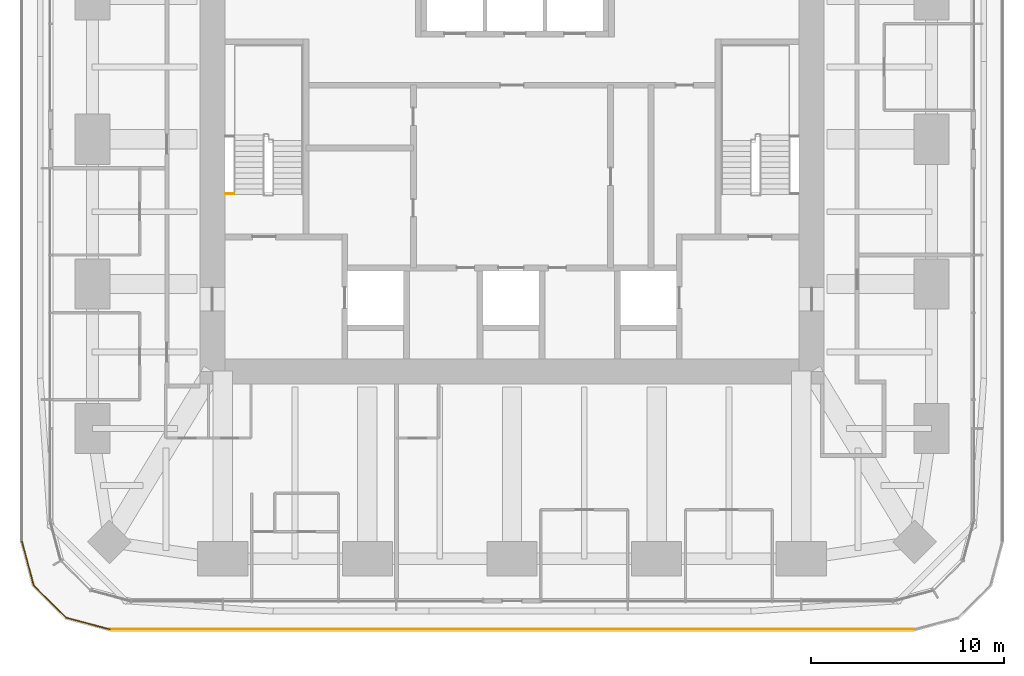
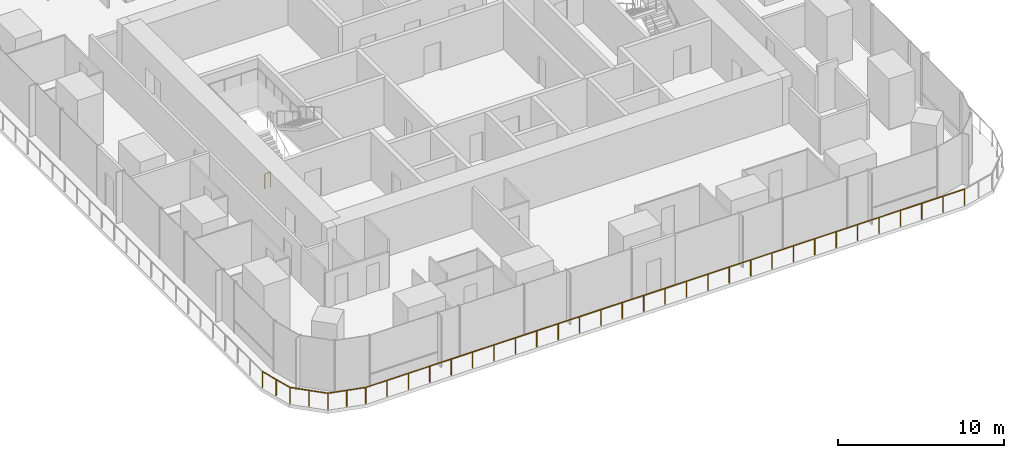
# One storey, part 12 of 15: 3 railings.
"""IFC4 building model written with IfcOpenShell, lengths in metres."""

import ifcopenshell
import ifcopenshell.guid

model = None  # the IFC model being written
_history = None  # IfcOwnerHistory: only IFC2X3 demands one
_inside = {}  # id of a spatial element -> (the spatial element, [elements in it])
_under = {}  # id of a project, library or spatial element -> (it, [spatial elements below it])
_declared = {}  # id of a project -> (the project, [libraries it declares])
_typed = {}  # id of a type object -> (the type object, [elements of that type])
_made_of = {}  # id of a material, layer set ... -> (it, [elements and type objects made of it])


def new_model(schema):
    """Start an empty IFC model of exactly this schema.

    Asked for "IFC4X3", IfcOpenShell would pick the latest addendum, in which some entities
    have other attributes; the version numbers below select the first issue.
    IFC2X3 requires an IfcOwnerHistory on every rooted entity: one is made here for all.
    """
    global model, _history
    if schema == "IFC4X3":
        model = ifcopenshell.file(schema_version=(4, 3, 0, 0))
    else:
        model = ifcopenshell.file(schema=schema)
    _inside.clear()
    _under.clear()
    _declared.clear()
    _typed.clear()
    _made_of.clear()
    _history = None
    if model.schema == "IFC2X3":
        org = make("IfcOrganization", Name="unknown")
        user = make(
            "IfcPersonAndOrganization",
            ThePerson=make("IfcPerson", FamilyName="unknown"),
            TheOrganization=org,
        )
        app = make(
            "IfcApplication",
            ApplicationDeveloper=org,
            Version="unknown",
            ApplicationFullName="unknown",
            ApplicationIdentifier="unknown",
        )
        _history = make(
            "IfcOwnerHistory",
            OwningUser=user,
            OwningApplication=app,
            ChangeAction="ADDED",
            CreationDate=0,
        )
    return model


def make(cls, **values):
    """One entity of the class cls with the attributes given. An attribute that is None is left unset."""
    return model.create_entity(
        cls, **{name: value for name, value in values.items() if value is not None}
    )


def rooted(cls, **values):
    """An entity with a GlobalId (a new one), such as an element, a storey or a relation."""
    return make(cls, GlobalId=ifcopenshell.guid.new(), OwnerHistory=_history, **values)


def si_unit(unit_type, name, prefix=None):
    """IfcSIUnit, for example si_unit("LENGTHUNIT", "METRE", prefix="MILLI")."""
    return make("IfcSIUnit", UnitType=unit_type, Prefix=prefix, Name=name)


def assignment(units):
    """IfcUnitAssignment: the units of a project."""
    return None if units is None else make("IfcUnitAssignment", Units=units)


def point(xyz):
    """IfcCartesianPoint."""
    return None if xyz is None else make("IfcCartesianPoint", Coordinates=xyz)


def direction(xyz):
    """IfcDirection."""
    return None if xyz is None else make("IfcDirection", DirectionRatios=xyz)


def frame(location, z_axis=None, x_axis=None):
    """IfcAxis2Placement3D, a coordinate frame: its origin and axes. An axis left out is left unset."""
    return make(
        "IfcAxis2Placement3D",
        Location=point(location),
        Axis=direction(z_axis),
        RefDirection=direction(x_axis),
    )


def frame_2d(location, x_axis=None):
    """IfcAxis2Placement2D, a coordinate frame in the plane: its origin and x axis."""
    return make(
        "IfcAxis2Placement2D", Location=point(location), RefDirection=direction(x_axis)
    )


def origin():
    """The frame at (0, 0, 0) with its axes left unset."""
    return frame((0.0, 0.0, 0.0))


def origin_2d():
    """The frame at (0, 0) in the plane with its x axis left unset."""
    return frame_2d((0.0, 0.0))


def place(relative_to, where):
    """IfcLocalPlacement: puts the frame where relative to a parent placement (None: the world)."""
    return make(
        "IfcLocalPlacement", PlacementRelTo=relative_to, RelativePlacement=where
    )


def context(
    kind, dimensions, precision=None, world=None, true_north=None, identifier=None
):
    """IfcGeometricRepresentationContext, for example the 3D "Model" context."""
    return make(
        "IfcGeometricRepresentationContext",
        ContextIdentifier=identifier,
        ContextType=kind,
        CoordinateSpaceDimension=dimensions,
        Precision=precision,
        WorldCoordinateSystem=world,
        TrueNorth=true_north,
    )


def subcontext(parent, identifier, kind, view, scale=None):
    """IfcGeometricRepresentationSubContext, for example "Body" below "Model"."""
    return make(
        "IfcGeometricRepresentationSubContext",
        ContextIdentifier=identifier,
        ContextType=kind,
        ParentContext=parent,
        TargetScale=scale,
        TargetView=view,
    )


def project(units=None, contexts=None):
    """IfcProject with its units and contexts."""
    return rooted(
        "IfcProject",
        Name="project",
        RepresentationContexts=contexts,
        UnitsInContext=assignment(units),
    )


def spatial(cls, under=None, at=None, **own):
    """A site, building, storey or space (cls), placed at a placement, below another one or the project."""
    s = rooted(cls, ObjectPlacement=at, **own)
    if under is not None:
        _under.setdefault(under.id(), (under, []))[1].append(s)
    return s


def profile(cls, at=None, kind="AREA", **sizes):
    """A parametric profile (cls). Its sizes go by their IFC names, for example OverallWidth=200.0."""
    return make(cls, ProfileType=kind, Position=at, **sizes)


def circle(**sizes):
    """IfcCircleProfileDef."""
    return profile("IfcCircleProfileDef", **sizes)


def extrude(swept, where, along, depth):
    """IfcExtrudedAreaSolid: the profile swept, set in the frame where, extruded along a direction by depth."""
    return make(
        "IfcExtrudedAreaSolid",
        SweptArea=swept,
        Position=where,
        ExtrudedDirection=direction(along),
        Depth=depth,
    )


def shape(context_of_items, identifier, shape_type, items):
    """IfcShapeRepresentation: the items that make up one representation, for example the "Body"."""
    return make(
        "IfcShapeRepresentation",
        ContextOfItems=context_of_items,
        RepresentationIdentifier=identifier,
        RepresentationType=shape_type,
        Items=items,
    )


def material(Name=None, Category=None):
    """IfcMaterial."""
    return make("IfcMaterial", Name=Name, Category=Category)


def made_of(thing, what):
    """Note that an element or type object is made of a material, layer set ...; save() writes the relation."""
    if what is not None:
        _made_of.setdefault(what.id(), (what, []))[1].append(thing)
    return thing


def type_object(cls, material=None, **own):
    """A type object (cls), such as IfcWallType, which elements share."""
    return made_of(rooted(cls, **own), material)


def element(
    cls,
    number,
    at=None,
    inside=None,
    cuts=None,
    type_object=None,
    material=None,
    context=None,
    identifier="Body",
    shape_type=None,
    held_by="IfcProductDefinitionShape",
    body=None,
    shapes=None,
    **own,
):
    """One element of the class cls, such as IfcWall. Its Tag is "e" and its number.

    at: its placement. inside: the storey or other place that contains it. cuts: it is an
    opening in that element (IfcRelVoidsElement). A single representation is given by context,
    identifier, shape_type and body (its items); several are given by shapes. held_by: the class
    of the entity that holds the representations. save() writes the other relations.
    """
    e = rooted(cls, Tag="e%d" % number, ObjectPlacement=at, **own)
    if body is not None:
        shapes = [shape(context, identifier, shape_type, body)]
    if shapes is not None:
        e.Representation = make(held_by, Representations=shapes)
    if inside is not None:
        _inside.setdefault(inside.id(), (inside, []))[1].append(e)
    if cuts is not None:
        rooted(
            "IfcRelVoidsElement", RelatingBuildingElement=cuts, RelatedOpeningElement=e
        )
    if type_object is not None:
        _typed.setdefault(type_object.id(), (type_object, []))[1].append(e)
    return made_of(e, material)


def aggregate(whole, parts):
    """IfcRelAggregates: a whole, such as a stair, and the parts it consists of."""
    return rooted("IfcRelAggregates", RelatingObject=whole, RelatedObjects=parts)


def save(model, path):
    """Write the relations noted so far, then the file.

    IfcRelAggregates (storeys below a building ...), IfcRelContainedInSpatialStructure (elements
    in a storey), IfcRelDefinesByType, IfcRelAssociatesMaterial and IfcRelDeclares: one each for
    every whole, place, type object, material and project.
    """
    for whole, parts in _under.values():
        aggregate(whole, parts)
    for where, things in _inside.values():
        rooted(
            "IfcRelContainedInSpatialStructure",
            RelatedElements=things,
            RelatingStructure=where,
        )
    for kind, things in _typed.values():
        rooted("IfcRelDefinesByType", RelatedObjects=things, RelatingType=kind)
    for what, things in _made_of.values():
        rooted("IfcRelAssociatesMaterial", RelatedObjects=things, RelatingMaterial=what)
    for by, libraries in _declared.values():
        rooted("IfcRelDeclares", RelatingContext=by, RelatedDefinitions=libraries)
    model.write(path)


model = new_model("IFC4")

# Units and contexts
model_context = context("Model", 3, precision=1e-05, world=origin(), true_north=direction((0.0, 1.0)))
body_context = subcontext(model_context, "Body", "Model", "MODEL_VIEW")
ifc_project = project(units=[si_unit("LENGTHUNIT", "METRE"), si_unit("AREAUNIT", "SQUARE_METRE"), si_unit("VOLUMEUNIT", "CUBIC_METRE"), si_unit("PLANEANGLEUNIT", "RADIAN"), si_unit("MASSUNIT", "GRAM", prefix="KILO")], contexts=[model_context])

# Site, building, storey
site_placement = place(None, origin())
site = spatial("IfcSite", under=ifc_project, at=site_placement, CompositionType="ELEMENT")
building_placement = place(site_placement, origin())
building = spatial("IfcBuilding", under=site, at=building_placement, Name="Khuree Lantern Residences", CompositionType="ELEMENT")
storey_placement = place(building_placement, frame((0.0, 0.0, 285.75)))
storey = spatial("IfcBuildingStorey", under=building, at=storey_placement, Name="L71", CompositionType="ELEMENT", Elevation=285.75)

# Railings
ifc_material_1 = material(Name="Steel S355", Category="steel")
railing_type_1 = type_object("IfcRailingType", Name="STAIR GUARD G1 1100", PredefinedType="GUARDRAIL", material=ifc_material_1)
railing_1_placement = place(storey_placement, frame((-14.800048828125, -2.81005859375, 0.0)))
element("IfcRailing", 1, at=railing_1_placement, inside=storey, type_object=railing_type_1, Name="Stair ST1 landing slot guard", PredefinedType="GUARDRAIL", context=body_context, shape_type="SweptSolid", body=[
    extrude(circle(Radius=0.02392578125, at=origin_2d()), frame((0.0, 0.0, 1.076171875), z_axis=(1.0, 0.0, 0.0), x_axis=(0.0, 1.0, 0.0)), (0.0, 0.0, 1.0), 0.400146484375),
    extrude(circle(Radius=0.02099609375, at=origin_2d()), origin(), (0.0, 0.0, 1.0), 1.052001953125),
    extrude(circle(Radius=0.02099609375, at=origin_2d()), frame((0.400146484375, 0.0, 0.0)), (0.0, 0.0, 1.0), 1.052001953125),
])
ifc_material_2 = material(Name="Toughened laminated glass balustrade with bronze anodised aluminium top rail", Category="aluminium")
railing_type_2 = type_object("IfcRailingType", Name="TERRACE GUARD G1 1200", PredefinedType="GUARDRAIL", material=ifc_material_2)
railing_2_placement = place(storey_placement, frame((-25.35009765625, -20.800048828125, 0.0)))
element("IfcRailing", 2, at=railing_2_placement, inside=storey, type_object=railing_type_2, Name="L71 SOUTH-WEST CORNER TERRACE GUARD", PredefinedType="GUARDRAIL", context=body_context, shape_type="SweptSolid", body=[
    extrude(circle(Radius=0.02392578125, at=origin_2d()), frame((0.0, 0.0, 1.17626953125), z_axis=(0.258843168814, -0.965919362037, 0.0), x_axis=(0.965919362037, 0.258843168814, 0.0)), (0.0, 0.0, 1.0), 2.355224609375),
    extrude(circle(Radius=0.02392578125, at=origin_2d()), frame((0.609619140625, -2.27490234375, 1.17626953125), z_axis=(0.707106781187, -0.707106781187, 0.0), x_axis=(0.707106781187, 0.707106781187, 0.0)), (0.0, 0.0, 1.0), 2.35546875),
    extrude(circle(Radius=0.02392578125, at=origin_2d()), frame((2.275146484375, -3.9404296875, 1.17626953125), z_axis=(0.965919362037, -0.258843168814, 0.0), x_axis=(0.258843168814, 0.965919362037, 0.0)), (0.0, 0.0, 1.0), 2.355224609375),
    extrude(circle(Radius=0.02099609375, at=origin_2d()), origin(), (0.0, 0.0, 1.0), 1.152099609375),
    extrude(circle(Radius=0.02099609375, at=origin_2d()), frame((0.3046875, -1.137451171875, 0.0)), (0.0, 0.0, 1.0), 1.152099609375),
    extrude(circle(Radius=0.02099609375, at=origin_2d()), frame((0.609619140625, -2.27490234375, 0.0)), (0.0, 0.0, 1.0), 1.152099609375),
    extrude(circle(Radius=0.02099609375, at=origin_2d()), frame((1.4423828125, -3.107666015625, 0.0)), (0.0, 0.0, 1.0), 1.152099609375),
    extrude(circle(Radius=0.02099609375, at=origin_2d()), frame((2.275146484375, -3.9404296875, 0.0)), (0.0, 0.0, 1.0), 1.152099609375),
    extrude(circle(Radius=0.02099609375, at=origin_2d()), frame((3.41259765625, -4.2451171875, 0.0)), (0.0, 0.0, 1.0), 1.152099609375),
    extrude(circle(Radius=0.02099609375, at=origin_2d()), frame((4.550048828125, -4.550048828125, 0.0)), (0.0, 0.0, 1.0), 1.152099609375),
])
railing_3_placement = place(storey_placement, frame((-20.800048828125, -25.35009765625, 0.0)))
element("IfcRailing", 3, at=railing_3_placement, inside=storey, type_object=railing_type_2, Name="L71 SOUTH FACE TERRACE GUARD", PredefinedType="GUARDRAIL", context=body_context, shape_type="SweptSolid", body=[
    extrude(circle(Radius=0.02392578125, at=origin_2d()), frame((0.0, 0.0, 1.17626953125), z_axis=(1.0, 0.0, 0.0), x_axis=(0.0, 1.0, 0.0)), (0.0, 0.0, 1.0), 41.60009765625),
    extrude(circle(Radius=0.02099609375, at=origin_2d()), origin(), (0.0, 0.0, 1.0), 1.152099609375),
    extrude(circle(Radius=0.02099609375, at=origin_2d()), frame((1.48583984375, 0.0, 0.0)), (0.0, 0.0, 1.0), 1.152099609375),
    extrude(circle(Radius=0.02099609375, at=origin_2d()), frame((2.971435546875, 0.0, 0.0)), (0.0, 0.0, 1.0), 1.152099609375),
    extrude(circle(Radius=0.02099609375, at=origin_2d()), frame((4.45703125, 0.0, 0.0)), (0.0, 0.0, 1.0), 1.152099609375),
    extrude(circle(Radius=0.02099609375, at=origin_2d()), frame((5.94287109375, 0.0, 0.0)), (0.0, 0.0, 1.0), 1.152099609375),
    extrude(circle(Radius=0.02099609375, at=origin_2d()), frame((7.4287109375, 0.0, 0.0)), (0.0, 0.0, 1.0), 1.152099609375),
    extrude(circle(Radius=0.02099609375, at=origin_2d()), frame((8.914306640625, 0.0, 0.0)), (0.0, 0.0, 1.0), 1.152099609375),
    extrude(circle(Radius=0.02099609375, at=origin_2d()), frame((10.39990234375, 0.0, 0.0)), (0.0, 0.0, 1.0), 1.152099609375),
    extrude(circle(Radius=0.02099609375, at=origin_2d()), frame((11.8857421875, 0.0, 0.0)), (0.0, 0.0, 1.0), 1.152099609375),
    extrude(circle(Radius=0.02099609375, at=origin_2d()), frame((13.37158203125, 0.0, 0.0)), (0.0, 0.0, 1.0), 1.152099609375),
    extrude(circle(Radius=0.02099609375, at=origin_2d()), frame((14.857177734375, 0.0, 0.0)), (0.0, 0.0, 1.0), 1.152099609375),
    extrude(circle(Radius=0.02099609375, at=origin_2d()), frame((16.3427734375, 0.0, 0.0)), (0.0, 0.0, 1.0), 1.152099609375),
    extrude(circle(Radius=0.02099609375, at=origin_2d()), frame((17.82861328125, 0.0, 0.0)), (0.0, 0.0, 1.0), 1.152099609375),
    extrude(circle(Radius=0.02099609375, at=origin_2d()), frame((19.314453125, 0.0, 0.0)), (0.0, 0.0, 1.0), 1.152099609375),
    extrude(circle(Radius=0.02099609375, at=origin_2d()), frame((20.800048828125, 0.0, 0.0)), (0.0, 0.0, 1.0), 1.152099609375),
    extrude(circle(Radius=0.02099609375, at=origin_2d()), frame((22.28564453125, 0.0, 0.0)), (0.0, 0.0, 1.0), 1.152099609375),
    extrude(circle(Radius=0.02099609375, at=origin_2d()), frame((23.771484375, 0.0, 0.0)), (0.0, 0.0, 1.0), 1.152099609375),
    extrude(circle(Radius=0.02099609375, at=origin_2d()), frame((25.257080078125, 0.0, 0.0)), (0.0, 0.0, 1.0), 1.152099609375),
    extrude(circle(Radius=0.02099609375, at=origin_2d()), frame((26.742919921875, 0.0, 0.0)), (0.0, 0.0, 1.0), 1.152099609375),
    extrude(circle(Radius=0.02099609375, at=origin_2d()), frame((28.228515625, 0.0, 0.0)), (0.0, 0.0, 1.0), 1.152099609375),
    extrude(circle(Radius=0.02099609375, at=origin_2d()), frame((29.71435546875, 0.0, 0.0)), (0.0, 0.0, 1.0), 1.152099609375),
    extrude(circle(Radius=0.02099609375, at=origin_2d()), frame((31.2001953125, 0.0, 0.0)), (0.0, 0.0, 1.0), 1.152099609375),
    extrude(circle(Radius=0.02099609375, at=origin_2d()), frame((32.685791015625, 0.0, 0.0)), (0.0, 0.0, 1.0), 1.152099609375),
    extrude(circle(Radius=0.02099609375, at=origin_2d()), frame((34.17138671875, 0.0, 0.0)), (0.0, 0.0, 1.0), 1.152099609375),
    extrude(circle(Radius=0.02099609375, at=origin_2d()), frame((35.6572265625, 0.0, 0.0)), (0.0, 0.0, 1.0), 1.152099609375),
    extrude(circle(Radius=0.02099609375, at=origin_2d()), frame((37.14306640625, 0.0, 0.0)), (0.0, 0.0, 1.0), 1.152099609375),
    extrude(circle(Radius=0.02099609375, at=origin_2d()), frame((38.628662109375, 0.0, 0.0)), (0.0, 0.0, 1.0), 1.152099609375),
    extrude(circle(Radius=0.02099609375, at=origin_2d()), frame((40.1142578125, 0.0, 0.0)), (0.0, 0.0, 1.0), 1.152099609375),
    extrude(circle(Radius=0.02099609375, at=origin_2d()), frame((41.60009765625, 0.0, 0.0)), (0.0, 0.0, 1.0), 1.152099609375),
])

save(model, "model.ifc")
